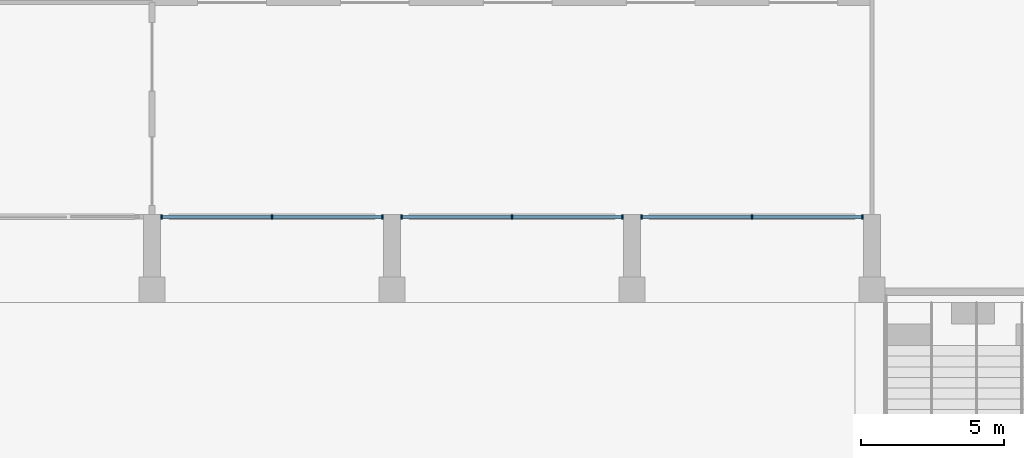
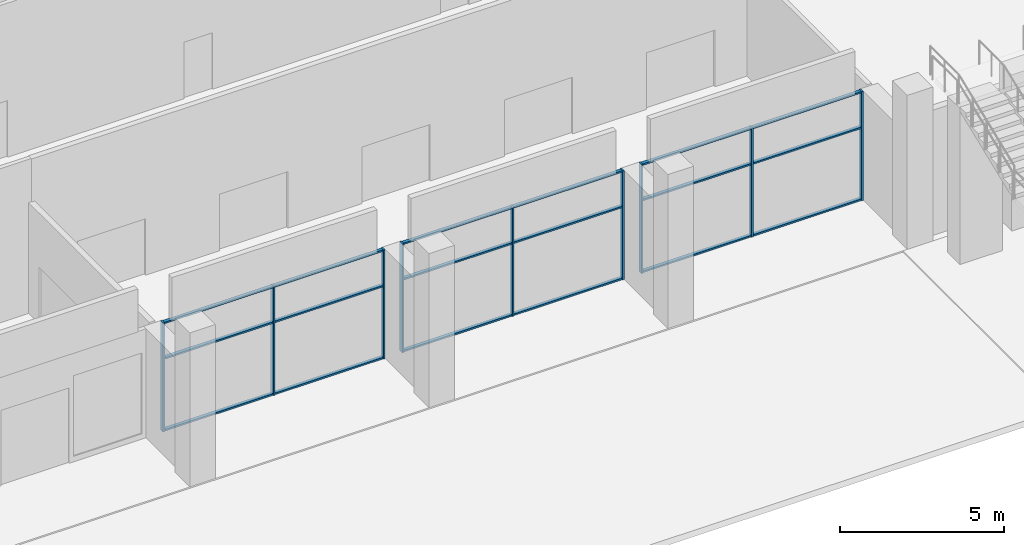
# One storey, part 4 of 20: 27 members, 3 elements without a shape of their own.
"""IFC4 building model written with IfcOpenShell, lengths in metres."""

from ifc_helpers import new_model, si_unit, direction, frame, origin, origin_2d, place, context, subcontext, project, spatial, rectangle, extrude, source, transform, mapped, material, layer, layer_set, material_profile, profile_set, type_object, element, aggregate, save


model = new_model("IFC4")

# Units and contexts
model_context = context("Model", 3, precision=1e-05, world=origin(), true_north=direction((0.0, 1.0)))
body_context = subcontext(model_context, "Body", "Model", "MODEL_VIEW")
ifc_project = project(units=[si_unit("LENGTHUNIT", "METRE"), si_unit("AREAUNIT", "SQUARE_METRE"), si_unit("VOLUMEUNIT", "CUBIC_METRE"), si_unit("PLANEANGLEUNIT", "RADIAN"), si_unit("MASSUNIT", "GRAM", prefix="KILO")], contexts=[model_context])

# Site, building, storey
site_placement = place(None, origin())
site = spatial("IfcSite", under=ifc_project, at=site_placement, CompositionType="ELEMENT")
building_placement = place(site_placement, origin())
building = spatial("IfcBuilding", under=site, at=building_placement, Name="Vanashikhar Sky Hotel", CompositionType="ELEMENT")
storey_placement = place(building_placement, origin())
storey = spatial("IfcBuildingStorey", under=building, at=storey_placement, Name="L00", CompositionType="ELEMENT", Elevation=0.0)

# Curtain wall, members
ifc_material_1 = material(Name="Glass", Category="glass")
ifc_layer = layer(ifc_material_1, 0.159912109375)
ifc_layer_set = layer_set([ifc_layer], Name="Lobby curtain wall")
curtain_wall_type = type_object("IfcCurtainWallType", Name="Lobby curtain wall", PredefinedType="NOTDEFINED", material=ifc_layer_set)
curtain_wall_1_placement = place(storey_placement, origin())
curtain_wall_1 = element("IfcCurtainWall", 1, at=curtain_wall_1_placement, inside=storey, type_object=curtain_wall_type, Name="Lobby curtain wall", PredefinedType="NOTDEFINED")
ifc_material_2 = material(Name="Aluminium 6063-T6", Category="aluminium")
ifc_material_profile_1 = material_profile(ifc_material_2, rectangle(XDim=0.159912109375, YDim=0.06005859375, at=origin_2d()))
ifc_profile_set_1 = profile_set([ifc_material_profile_1], Name="Aluminium 6063-T6")
member_type_1 = type_object("IfcMemberType", Name="Podium curtain wall mullion 60 x 160", PredefinedType="MULLION", material=ifc_profile_set_1)
shared_shape_1 = source(origin(), body_context, "Body", "SweptSolid", [
    extrude(rectangle(XDim=0.159912109375, YDim=0.06005859375, at=origin_2d()), origin(), (0.0, 0.0, 1.0), 4.050048828125),
])
member_1_placement = place(storey_placement, frame((59.1298828125, -21.0, 0.0), z_axis=(0.0, 0.0, 1.0), x_axis=(0.0, 1.0, 0.0)))
member_1 = element("IfcMember", 2, at=member_1_placement, type_object=member_type_1, Name="CW-1.004 mullion 1", PredefinedType="MULLION", context=body_context, shape_type="MappedRepresentation", body=[
    mapped(shared_shape_1, transform((0.0, 0.0, 0.0), scale=1.0)),
])
member_2_placement = place(storey_placement, frame((63.0, -21.0, 0.0), z_axis=(0.0, 0.0, 1.0), x_axis=(0.0, 1.0, 0.0)))
member_2 = element("IfcMember", 3, at=member_2_placement, type_object=member_type_1, Name="CW-1.004 mullion 2", PredefinedType="MULLION", context=body_context, shape_type="MappedRepresentation", body=[
    mapped(shared_shape_1, transform((0.0, 0.0, 0.0), scale=1.0)),
])
member_3_placement = place(storey_placement, frame((66.8701171875, -21.0, 0.0), z_axis=(0.0, 0.0, 1.0), x_axis=(0.0, 1.0, 0.0)))
member_3 = element("IfcMember", 4, at=member_3_placement, type_object=member_type_1, Name="CW-1.004 mullion 3", PredefinedType="MULLION", context=body_context, shape_type="MappedRepresentation", body=[
    mapped(shared_shape_1, transform((0.0, 0.0, 0.0), scale=1.0)),
])

curtain_wall_2_placement = place(storey_placement, origin())
curtain_wall_2 = element("IfcCurtainWall", 5, at=curtain_wall_2_placement, inside=storey, type_object=curtain_wall_type, Name="Lobby curtain wall", PredefinedType="NOTDEFINED")
member_4_placement = place(storey_placement, frame((67.530029296875, -21.0, 0.0), z_axis=(0.0, 0.0, 1.0), x_axis=(0.0, 1.0, 0.0)))
member_4 = element("IfcMember", 6, at=member_4_placement, type_object=member_type_1, Name="CW-1.005 mullion 1", PredefinedType="MULLION", context=body_context, shape_type="MappedRepresentation", body=[
    mapped(shared_shape_1, transform((0.0, 0.0, 0.0), scale=1.0)),
])
member_5_placement = place(storey_placement, frame((71.39990234375, -21.0, 0.0), z_axis=(0.0, 0.0, 1.0), x_axis=(0.0, 1.0, 0.0)))
member_5 = element("IfcMember", 7, at=member_5_placement, type_object=member_type_1, Name="CW-1.005 mullion 2", PredefinedType="MULLION", context=body_context, shape_type="MappedRepresentation", body=[
    mapped(shared_shape_1, transform((0.0, 0.0, 0.0), scale=1.0)),
])
member_6_placement = place(storey_placement, frame((75.27001953125, -21.0, 0.0), z_axis=(0.0, 0.0, 1.0), x_axis=(0.0, 1.0, 0.0)))
member_6 = element("IfcMember", 8, at=member_6_placement, type_object=member_type_1, Name="CW-1.005 mullion 3", PredefinedType="MULLION", context=body_context, shape_type="MappedRepresentation", body=[
    mapped(shared_shape_1, transform((0.0, 0.0, 0.0), scale=1.0)),
])

curtain_wall_3_placement = place(storey_placement, origin())
curtain_wall_3 = element("IfcCurtainWall", 9, at=curtain_wall_3_placement, inside=storey, type_object=curtain_wall_type, Name="Lobby curtain wall", PredefinedType="NOTDEFINED")
member_7_placement = place(storey_placement, frame((75.929931640625, -21.0, 0.0), z_axis=(0.0, 0.0, 1.0), x_axis=(0.0, 1.0, 0.0)))
member_7 = element("IfcMember", 10, at=member_7_placement, type_object=member_type_1, Name="CW-1.006 mullion 1", PredefinedType="MULLION", context=body_context, shape_type="MappedRepresentation", body=[
    mapped(shared_shape_1, transform((0.0, 0.0, 0.0), scale=1.0)),
])
member_8_placement = place(storey_placement, frame((79.800048828125, -21.0, 0.0), z_axis=(0.0, 0.0, 1.0), x_axis=(0.0, 1.0, 0.0)))
member_8 = element("IfcMember", 11, at=member_8_placement, type_object=member_type_1, Name="CW-1.006 mullion 2", PredefinedType="MULLION", context=body_context, shape_type="MappedRepresentation", body=[
    mapped(shared_shape_1, transform((0.0, 0.0, 0.0), scale=1.0)),
])
member_9_placement = place(storey_placement, frame((83.669921875, -21.0, 0.0), z_axis=(0.0, 0.0, 1.0), x_axis=(0.0, 1.0, 0.0)))
member_9 = element("IfcMember", 12, at=member_9_placement, type_object=member_type_1, Name="CW-1.006 mullion 3", PredefinedType="MULLION", context=body_context, shape_type="MappedRepresentation", body=[
    mapped(shared_shape_1, transform((0.0, 0.0, 0.0), scale=1.0)),
])

# Member
ifc_material_profile_2 = material_profile(ifc_material_2, rectangle(XDim=0.1201171875, YDim=0.06005859375, at=origin_2d()))
ifc_profile_set_2 = profile_set([ifc_material_profile_2], Name="Aluminium 6063-T6")
member_type_2 = type_object("IfcMemberType", Name="Podium curtain wall transom 60 x 120", PredefinedType="USERDEFINED", material=ifc_profile_set_2)
shared_shape_2 = source(origin(), body_context, "Body", "SweptSolid", [
    extrude(rectangle(XDim=0.1201171875, YDim=0.06005859375, at=origin_2d()), origin(), (0.0, 0.0, 1.0), 3.81005859375),
])
member_10_placement = place(storey_placement, frame((59.159912109375, -21.0, 0.030029296875), z_axis=(1.0, 0.0, 0.0), x_axis=(0.0, 1.0, 0.0)))
member_10 = element("IfcMember", 13, at=member_10_placement, type_object=member_type_2, Name="CW-1.004 transom 1.1", ObjectType="TRANSOM", PredefinedType="USERDEFINED", context=body_context, shape_type="MappedRepresentation", body=[
    mapped(shared_shape_2, transform((0.0, 0.0, 0.0), scale=1.0)),
])

member_11_placement = place(storey_placement, frame((59.159912109375, -21.0, 2.699951171875), z_axis=(1.0, 0.0, 0.0), x_axis=(0.0, 1.0, 0.0)))
member_11 = element("IfcMember", 14, at=member_11_placement, type_object=member_type_2, Name="CW-1.004 transom 1.2", ObjectType="TRANSOM", PredefinedType="USERDEFINED", context=body_context, shape_type="MappedRepresentation", body=[
    mapped(shared_shape_2, transform((0.0, 0.0, 0.0), scale=1.0)),
])

member_12_placement = place(storey_placement, frame((59.159912109375, -21.0, 4.02001953125), z_axis=(1.0, 0.0, 0.0), x_axis=(0.0, 1.0, 0.0)))
member_12 = element("IfcMember", 15, at=member_12_placement, type_object=member_type_2, Name="CW-1.004 transom 1.3", ObjectType="TRANSOM", PredefinedType="USERDEFINED", context=body_context, shape_type="MappedRepresentation", body=[
    mapped(shared_shape_2, transform((0.0, 0.0, 0.0), scale=1.0)),
])

member_13_placement = place(storey_placement, frame((63.030029296875, -21.0, 0.030029296875), z_axis=(1.0, 0.0, 0.0), x_axis=(0.0, 1.0, 0.0)))
member_13 = element("IfcMember", 16, at=member_13_placement, type_object=member_type_2, Name="CW-1.004 transom 2.1", ObjectType="TRANSOM", PredefinedType="USERDEFINED", context=body_context, shape_type="MappedRepresentation", body=[
    mapped(shared_shape_2, transform((0.0, 0.0, 0.0), scale=1.0)),
])

member_14_placement = place(storey_placement, frame((63.030029296875, -21.0, 2.699951171875), z_axis=(1.0, 0.0, 0.0), x_axis=(0.0, 1.0, 0.0)))
member_14 = element("IfcMember", 17, at=member_14_placement, type_object=member_type_2, Name="CW-1.004 transom 2.2", ObjectType="TRANSOM", PredefinedType="USERDEFINED", context=body_context, shape_type="MappedRepresentation", body=[
    mapped(shared_shape_2, transform((0.0, 0.0, 0.0), scale=1.0)),
])

member_15_placement = place(storey_placement, frame((63.030029296875, -21.0, 4.02001953125), z_axis=(1.0, 0.0, 0.0), x_axis=(0.0, 1.0, 0.0)))
member_15 = element("IfcMember", 18, at=member_15_placement, type_object=member_type_2, Name="CW-1.004 transom 2.3", ObjectType="TRANSOM", PredefinedType="USERDEFINED", context=body_context, shape_type="MappedRepresentation", body=[
    mapped(shared_shape_2, transform((0.0, 0.0, 0.0), scale=1.0)),
])

aggregate(curtain_wall_1, [member_1, member_2, member_3, member_10, member_11, member_12, member_13, member_14, member_15])

member_16_placement = place(storey_placement, frame((67.56005859375, -21.0, 0.030029296875), z_axis=(1.0, 0.0, 0.0), x_axis=(0.0, 1.0, 0.0)))
member_16 = element("IfcMember", 19, at=member_16_placement, type_object=member_type_2, Name="CW-1.005 transom 1.1", ObjectType="TRANSOM", PredefinedType="USERDEFINED", context=body_context, shape_type="MappedRepresentation", body=[
    mapped(shared_shape_2, transform((0.0, 0.0, 0.0), scale=1.0)),
])

member_17_placement = place(storey_placement, frame((67.56005859375, -21.0, 2.699951171875), z_axis=(1.0, 0.0, 0.0), x_axis=(0.0, 1.0, 0.0)))
member_17 = element("IfcMember", 20, at=member_17_placement, type_object=member_type_2, Name="CW-1.005 transom 1.2", ObjectType="TRANSOM", PredefinedType="USERDEFINED", context=body_context, shape_type="MappedRepresentation", body=[
    mapped(shared_shape_2, transform((0.0, 0.0, 0.0), scale=1.0)),
])

member_18_placement = place(storey_placement, frame((67.56005859375, -21.0, 4.02001953125), z_axis=(1.0, 0.0, 0.0), x_axis=(0.0, 1.0, 0.0)))
member_18 = element("IfcMember", 21, at=member_18_placement, type_object=member_type_2, Name="CW-1.005 transom 1.3", ObjectType="TRANSOM", PredefinedType="USERDEFINED", context=body_context, shape_type="MappedRepresentation", body=[
    mapped(shared_shape_2, transform((0.0, 0.0, 0.0), scale=1.0)),
])

member_19_placement = place(storey_placement, frame((71.429931640625, -21.0, 0.030029296875), z_axis=(1.0, 0.0, 0.0), x_axis=(0.0, 1.0, 0.0)))
member_19 = element("IfcMember", 22, at=member_19_placement, type_object=member_type_2, Name="CW-1.005 transom 2.1", ObjectType="TRANSOM", PredefinedType="USERDEFINED", context=body_context, shape_type="MappedRepresentation", body=[
    mapped(shared_shape_2, transform((0.0, 0.0, 0.0), scale=1.0)),
])

member_20_placement = place(storey_placement, frame((71.429931640625, -21.0, 2.699951171875), z_axis=(1.0, 0.0, 0.0), x_axis=(0.0, 1.0, 0.0)))
member_20 = element("IfcMember", 23, at=member_20_placement, type_object=member_type_2, Name="CW-1.005 transom 2.2", ObjectType="TRANSOM", PredefinedType="USERDEFINED", context=body_context, shape_type="MappedRepresentation", body=[
    mapped(shared_shape_2, transform((0.0, 0.0, 0.0), scale=1.0)),
])

member_21_placement = place(storey_placement, frame((71.429931640625, -21.0, 4.02001953125), z_axis=(1.0, 0.0, 0.0), x_axis=(0.0, 1.0, 0.0)))
member_21 = element("IfcMember", 24, at=member_21_placement, type_object=member_type_2, Name="CW-1.005 transom 2.3", ObjectType="TRANSOM", PredefinedType="USERDEFINED", context=body_context, shape_type="MappedRepresentation", body=[
    mapped(shared_shape_2, transform((0.0, 0.0, 0.0), scale=1.0)),
])

aggregate(curtain_wall_2, [member_4, member_5, member_6, member_16, member_17, member_18, member_19, member_20, member_21])

member_22_placement = place(storey_placement, frame((75.9599609375, -21.0, 0.030029296875), z_axis=(1.0, 0.0, 0.0), x_axis=(0.0, 1.0, 0.0)))
member_22 = element("IfcMember", 25, at=member_22_placement, type_object=member_type_2, Name="CW-1.006 transom 1.1", ObjectType="TRANSOM", PredefinedType="USERDEFINED", context=body_context, shape_type="MappedRepresentation", body=[
    mapped(shared_shape_2, transform((0.0, 0.0, 0.0), scale=1.0)),
])

member_23_placement = place(storey_placement, frame((75.9599609375, -21.0, 2.699951171875), z_axis=(1.0, 0.0, 0.0), x_axis=(0.0, 1.0, 0.0)))
member_23 = element("IfcMember", 26, at=member_23_placement, type_object=member_type_2, Name="CW-1.006 transom 1.2", ObjectType="TRANSOM", PredefinedType="USERDEFINED", context=body_context, shape_type="MappedRepresentation", body=[
    mapped(shared_shape_2, transform((0.0, 0.0, 0.0), scale=1.0)),
])

member_24_placement = place(storey_placement, frame((75.9599609375, -21.0, 4.02001953125), z_axis=(1.0, 0.0, 0.0), x_axis=(0.0, 1.0, 0.0)))
member_24 = element("IfcMember", 27, at=member_24_placement, type_object=member_type_2, Name="CW-1.006 transom 1.3", ObjectType="TRANSOM", PredefinedType="USERDEFINED", context=body_context, shape_type="MappedRepresentation", body=[
    mapped(shared_shape_2, transform((0.0, 0.0, 0.0), scale=1.0)),
])

shared_shape_3 = source(origin(), body_context, "Body", "SweptSolid", [
    extrude(rectangle(XDim=0.1201171875, YDim=0.06005859375, at=origin_2d()), origin(), (0.0, 0.0, 1.0), 3.809814453125),
])
member_25_placement = place(storey_placement, frame((79.830078125, -21.0, 0.030029296875), z_axis=(1.0, 0.0, 0.0), x_axis=(0.0, 1.0, 0.0)))
member_25 = element("IfcMember", 28, at=member_25_placement, type_object=member_type_2, Name="CW-1.006 transom 2.1", ObjectType="TRANSOM", PredefinedType="USERDEFINED", context=body_context, shape_type="MappedRepresentation", body=[
    mapped(shared_shape_3, transform((0.0, 0.0, 0.0), scale=1.0)),
])

member_26_placement = place(storey_placement, frame((79.830078125, -21.0, 2.699951171875), z_axis=(1.0, 0.0, 0.0), x_axis=(0.0, 1.0, 0.0)))
member_26 = element("IfcMember", 29, at=member_26_placement, type_object=member_type_2, Name="CW-1.006 transom 2.2", ObjectType="TRANSOM", PredefinedType="USERDEFINED", context=body_context, shape_type="MappedRepresentation", body=[
    mapped(shared_shape_3, transform((0.0, 0.0, 0.0), scale=1.0)),
])

member_27_placement = place(storey_placement, frame((79.830078125, -21.0, 4.02001953125), z_axis=(1.0, 0.0, 0.0), x_axis=(0.0, 1.0, 0.0)))
member_27 = element("IfcMember", 30, at=member_27_placement, type_object=member_type_2, Name="CW-1.006 transom 2.3", ObjectType="TRANSOM", PredefinedType="USERDEFINED", context=body_context, shape_type="MappedRepresentation", body=[
    mapped(shared_shape_3, transform((0.0, 0.0, 0.0), scale=1.0)),
])

aggregate(curtain_wall_3, [member_7, member_8, member_9, member_22, member_23, member_24, member_25, member_26, member_27])

save(model, "model.ifc")
